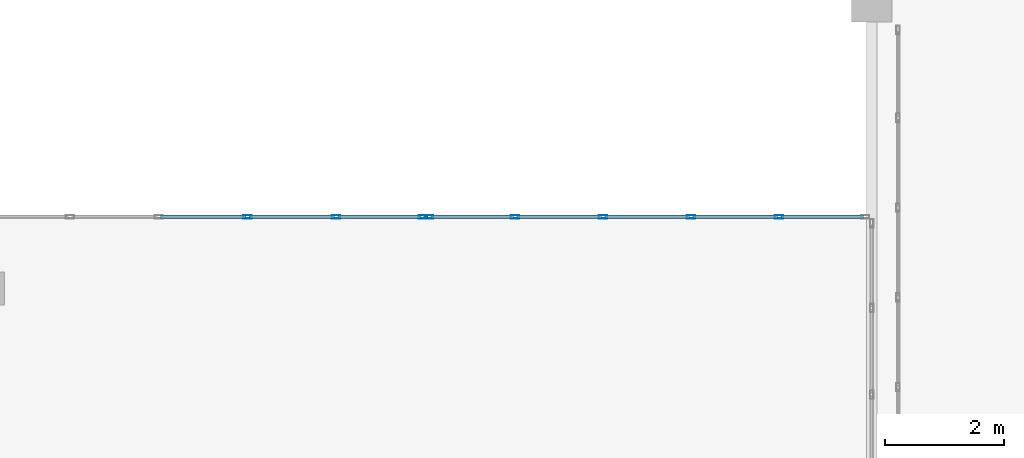
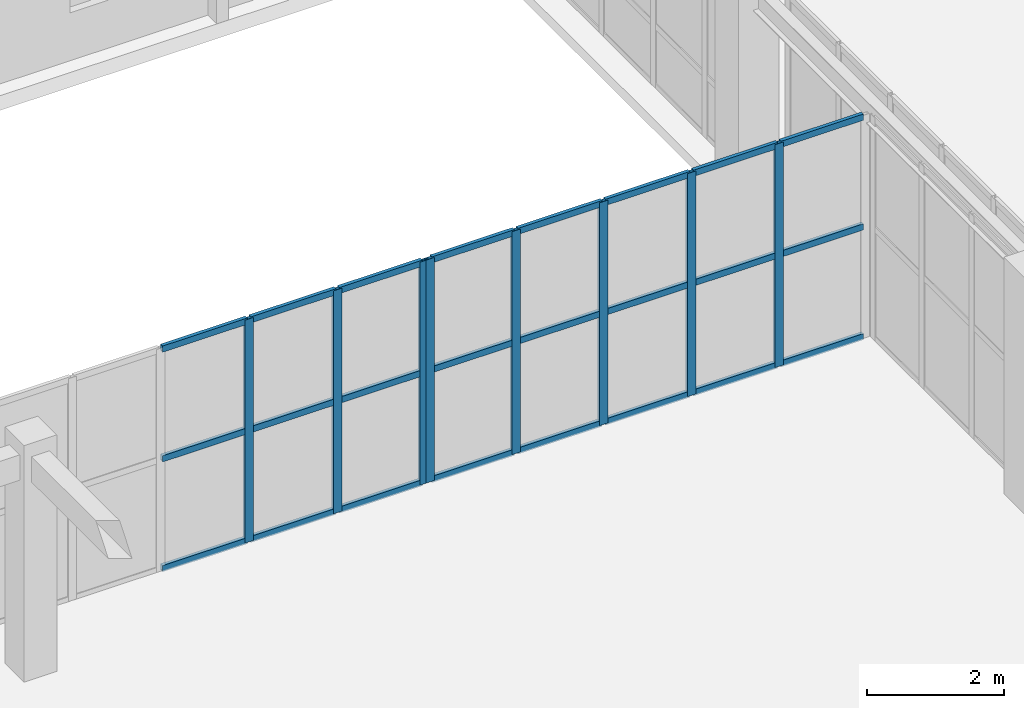
# One storey, part 62 of 140: 32 members, 2 elements without a shape of their own.
"""IFC4 building model written with IfcOpenShell, lengths in metres."""

import ifcopenshell
import ifcopenshell.guid

model = None  # the IFC model being written
_history = None  # IfcOwnerHistory: only IFC2X3 demands one
_inside = {}  # id of a spatial element -> (the spatial element, [elements in it])
_under = {}  # id of a project, library or spatial element -> (it, [spatial elements below it])
_declared = {}  # id of a project -> (the project, [libraries it declares])
_typed = {}  # id of a type object -> (the type object, [elements of that type])
_made_of = {}  # id of a material, layer set ... -> (it, [elements and type objects made of it])


def new_model(schema):
    """Start an empty IFC model of exactly this schema.

    Asked for "IFC4X3", IfcOpenShell would pick the latest addendum, in which some entities
    have other attributes; the version numbers below select the first issue.
    IFC2X3 requires an IfcOwnerHistory on every rooted entity: one is made here for all.
    """
    global model, _history
    if schema == "IFC4X3":
        model = ifcopenshell.file(schema_version=(4, 3, 0, 0))
    else:
        model = ifcopenshell.file(schema=schema)
    _inside.clear()
    _under.clear()
    _declared.clear()
    _typed.clear()
    _made_of.clear()
    _history = None
    if model.schema == "IFC2X3":
        org = make("IfcOrganization", Name="unknown")
        user = make(
            "IfcPersonAndOrganization",
            ThePerson=make("IfcPerson", FamilyName="unknown"),
            TheOrganization=org,
        )
        app = make(
            "IfcApplication",
            ApplicationDeveloper=org,
            Version="unknown",
            ApplicationFullName="unknown",
            ApplicationIdentifier="unknown",
        )
        _history = make(
            "IfcOwnerHistory",
            OwningUser=user,
            OwningApplication=app,
            ChangeAction="ADDED",
            CreationDate=0,
        )
    return model


def make(cls, **values):
    """One entity of the class cls with the attributes given. An attribute that is None is left unset."""
    return model.create_entity(
        cls, **{name: value for name, value in values.items() if value is not None}
    )


def rooted(cls, **values):
    """An entity with a GlobalId (a new one), such as an element, a storey or a relation."""
    return make(cls, GlobalId=ifcopenshell.guid.new(), OwnerHistory=_history, **values)


def si_unit(unit_type, name, prefix=None):
    """IfcSIUnit, for example si_unit("LENGTHUNIT", "METRE", prefix="MILLI")."""
    return make("IfcSIUnit", UnitType=unit_type, Prefix=prefix, Name=name)


def assignment(units):
    """IfcUnitAssignment: the units of a project."""
    return None if units is None else make("IfcUnitAssignment", Units=units)


def point(xyz):
    """IfcCartesianPoint."""
    return None if xyz is None else make("IfcCartesianPoint", Coordinates=xyz)


def direction(xyz):
    """IfcDirection."""
    return None if xyz is None else make("IfcDirection", DirectionRatios=xyz)


def frame(location, z_axis=None, x_axis=None):
    """IfcAxis2Placement3D, a coordinate frame: its origin and axes. An axis left out is left unset."""
    return make(
        "IfcAxis2Placement3D",
        Location=point(location),
        Axis=direction(z_axis),
        RefDirection=direction(x_axis),
    )


def frame_2d(location, x_axis=None):
    """IfcAxis2Placement2D, a coordinate frame in the plane: its origin and x axis."""
    return make(
        "IfcAxis2Placement2D", Location=point(location), RefDirection=direction(x_axis)
    )


def origin():
    """The frame at (0, 0, 0) with its axes left unset."""
    return frame((0.0, 0.0, 0.0))


def origin_2d():
    """The frame at (0, 0) in the plane with its x axis left unset."""
    return frame_2d((0.0, 0.0))


def place(relative_to, where):
    """IfcLocalPlacement: puts the frame where relative to a parent placement (None: the world)."""
    return make(
        "IfcLocalPlacement", PlacementRelTo=relative_to, RelativePlacement=where
    )


def context(
    kind, dimensions, precision=None, world=None, true_north=None, identifier=None
):
    """IfcGeometricRepresentationContext, for example the 3D "Model" context."""
    return make(
        "IfcGeometricRepresentationContext",
        ContextIdentifier=identifier,
        ContextType=kind,
        CoordinateSpaceDimension=dimensions,
        Precision=precision,
        WorldCoordinateSystem=world,
        TrueNorth=true_north,
    )


def subcontext(parent, identifier, kind, view, scale=None):
    """IfcGeometricRepresentationSubContext, for example "Body" below "Model"."""
    return make(
        "IfcGeometricRepresentationSubContext",
        ContextIdentifier=identifier,
        ContextType=kind,
        ParentContext=parent,
        TargetScale=scale,
        TargetView=view,
    )


def project(units=None, contexts=None):
    """IfcProject with its units and contexts."""
    return rooted(
        "IfcProject",
        Name="project",
        RepresentationContexts=contexts,
        UnitsInContext=assignment(units),
    )


def spatial(cls, under=None, at=None, **own):
    """A site, building, storey or space (cls), placed at a placement, below another one or the project."""
    s = rooted(cls, ObjectPlacement=at, **own)
    if under is not None:
        _under.setdefault(under.id(), (under, []))[1].append(s)
    return s


def profile(cls, at=None, kind="AREA", **sizes):
    """A parametric profile (cls). Its sizes go by their IFC names, for example OverallWidth=200.0."""
    return make(cls, ProfileType=kind, Position=at, **sizes)


def hollow_rectangle(**sizes):
    """IfcRectangleHollowProfileDef."""
    return profile("IfcRectangleHollowProfileDef", **sizes)


def extrude(swept, where, along, depth):
    """IfcExtrudedAreaSolid: the profile swept, set in the frame where, extruded along a direction by depth."""
    return make(
        "IfcExtrudedAreaSolid",
        SweptArea=swept,
        Position=where,
        ExtrudedDirection=direction(along),
        Depth=depth,
    )


def shape(context_of_items, identifier, shape_type, items):
    """IfcShapeRepresentation: the items that make up one representation, for example the "Body"."""
    return make(
        "IfcShapeRepresentation",
        ContextOfItems=context_of_items,
        RepresentationIdentifier=identifier,
        RepresentationType=shape_type,
        Items=items,
    )


def material(Name=None, Category=None):
    """IfcMaterial."""
    return make("IfcMaterial", Name=Name, Category=Category)


def layer(
    of_material, thickness, ventilated=None, Name=None, Category=None, Priority=None
):
    """IfcMaterialLayer: one layer of a wall or slab, of a material (None: an air gap)."""
    return make(
        "IfcMaterialLayer",
        Material=of_material,
        LayerThickness=thickness,
        IsVentilated=ventilated,
        Name=Name,
        Category=Category,
        Priority=Priority,
    )


def layer_set(layers, Name=None):
    """IfcMaterialLayerSet."""
    return make("IfcMaterialLayerSet", MaterialLayers=layers, LayerSetName=Name)


def material_profile(
    of_material, cross_section, Name=None, Category=None, Priority=None
):
    """IfcMaterialProfile: a cross section and its material."""
    return make(
        "IfcMaterialProfile",
        Name=Name,
        Material=of_material,
        Profile=cross_section,
        Priority=Priority,
        Category=Category,
    )


def profile_set(profiles, Name=None, composite=None):
    """IfcMaterialProfileSet."""
    return make(
        "IfcMaterialProfileSet",
        Name=Name,
        MaterialProfiles=profiles,
        CompositeProfile=composite,
    )


def made_of(thing, what):
    """Note that an element or type object is made of a material, layer set ...; save() writes the relation."""
    if what is not None:
        _made_of.setdefault(what.id(), (what, []))[1].append(thing)
    return thing


def type_object(cls, material=None, **own):
    """A type object (cls), such as IfcWallType, which elements share."""
    return made_of(rooted(cls, **own), material)


def element(
    cls,
    number,
    at=None,
    inside=None,
    cuts=None,
    type_object=None,
    material=None,
    context=None,
    identifier="Body",
    shape_type=None,
    held_by="IfcProductDefinitionShape",
    body=None,
    shapes=None,
    **own,
):
    """One element of the class cls, such as IfcWall. Its Tag is "e" and its number.

    at: its placement. inside: the storey or other place that contains it. cuts: it is an
    opening in that element (IfcRelVoidsElement). A single representation is given by context,
    identifier, shape_type and body (its items); several are given by shapes. held_by: the class
    of the entity that holds the representations. save() writes the other relations.
    """
    e = rooted(cls, Tag="e%d" % number, ObjectPlacement=at, **own)
    if body is not None:
        shapes = [shape(context, identifier, shape_type, body)]
    if shapes is not None:
        e.Representation = make(held_by, Representations=shapes)
    if inside is not None:
        _inside.setdefault(inside.id(), (inside, []))[1].append(e)
    if cuts is not None:
        rooted(
            "IfcRelVoidsElement", RelatingBuildingElement=cuts, RelatedOpeningElement=e
        )
    if type_object is not None:
        _typed.setdefault(type_object.id(), (type_object, []))[1].append(e)
    return made_of(e, material)


def aggregate(whole, parts):
    """IfcRelAggregates: a whole, such as a stair, and the parts it consists of."""
    return rooted("IfcRelAggregates", RelatingObject=whole, RelatedObjects=parts)


def save(model, path):
    """Write the relations noted so far, then the file.

    IfcRelAggregates (storeys below a building ...), IfcRelContainedInSpatialStructure (elements
    in a storey), IfcRelDefinesByType, IfcRelAssociatesMaterial and IfcRelDeclares: one each for
    every whole, place, type object, material and project.
    """
    for whole, parts in _under.values():
        aggregate(whole, parts)
    for where, things in _inside.values():
        rooted(
            "IfcRelContainedInSpatialStructure",
            RelatedElements=things,
            RelatingStructure=where,
        )
    for kind, things in _typed.values():
        rooted("IfcRelDefinesByType", RelatedObjects=things, RelatingType=kind)
    for what, things in _made_of.values():
        rooted("IfcRelAssociatesMaterial", RelatedObjects=things, RelatingMaterial=what)
    for by, libraries in _declared.values():
        rooted("IfcRelDeclares", RelatingContext=by, RelatedDefinitions=libraries)
    model.write(path)


model = new_model("IFC4")

# Units and contexts
model_context = context("Model", 3, precision=1e-05, world=origin(), true_north=direction((0.0, 1.0)))
body_context = subcontext(model_context, "Body", "Model", "MODEL_VIEW")
ifc_project = project(units=[si_unit("LENGTHUNIT", "METRE"), si_unit("AREAUNIT", "SQUARE_METRE"), si_unit("VOLUMEUNIT", "CUBIC_METRE"), si_unit("PLANEANGLEUNIT", "RADIAN"), si_unit("MASSUNIT", "GRAM", prefix="KILO")], contexts=[model_context])

# Site, building, storey
site_placement = place(None, origin())
site = spatial("IfcSite", under=ifc_project, at=site_placement, CompositionType="ELEMENT")
building_placement = place(site_placement, origin())
building = spatial("IfcBuilding", under=site, at=building_placement, Name="Trelvath General Hospital", CompositionType="ELEMENT")
storey_placement = place(building_placement, frame((0.0, 0.0, 16.199951171875)))
storey = spatial("IfcBuildingStorey", under=building, at=storey_placement, Name="L04", CompositionType="ELEMENT", Elevation=16.199951171875)

# Curtain wall, members
ifc_material_1 = material(Name="Anodised aluminium and low-E glass", Category="aluminium")
ifc_layer_1 = layer(ifc_material_1, 0.139892578125)
ifc_layer_set_1 = layer_set([ifc_layer_1], Name="Anodised aluminium and low-E glass")
curtain_wall_type_1 = type_object("IfcCurtainWallType", Name="CW CrystalCube 743 396 14", PredefinedType="USERDEFINED", material=ifc_layer_set_1)
curtain_wall_1_placement = place(storey_placement, origin())
curtain_wall_1 = element("IfcCurtainWall", 1, at=curtain_wall_1_placement, inside=storey, type_object=curtain_wall_type_1, Name="Crystal Cube Curtain Wall CUBE-W-T1 N2 L04", ObjectType="Unitised Glazed Curtain Wall", PredefinedType="USERDEFINED")
ifc_material_2 = material(Name="Anodised aluminium", Category="aluminium")
ifc_material_profile_1 = material_profile(ifc_material_2, hollow_rectangle(XDim=0.06005859375, YDim=0.139892578125, WallThickness=0.00390625, at=origin_2d()), Name="RHS60x140x4")
ifc_profile_set_1 = profile_set([ifc_material_profile_1], Name="Anodised aluminium")
member_type_1 = type_object("IfcMemberType", Name="CurtainMullion 60x140", PredefinedType="MULLION", material=ifc_profile_set_1)
member_1_placement = place(storey_placement, frame((65.142578125, 80.39990234375, 0.0), z_axis=(0.0, 0.0, 1.0), x_axis=(0.0, 1.0, 0.0)))
member_1 = element("IfcMember", 2, at=member_1_placement, type_object=member_type_1, Name="CW-272 mullion 4", PredefinedType="MULLION", context=body_context, shape_type="SweptSolid", body=[
    extrude(hollow_rectangle(XDim=0.06005859375, YDim=0.139892578125, WallThickness=0.00390625, at=origin_2d()), origin(), (0.0, 0.0, 1.0), 3.9599609375),
])
member_2_placement = place(storey_placement, frame((66.6279296875, 80.39990234375, 0.0), z_axis=(0.0, 0.0, 1.0), x_axis=(0.0, 1.0, 0.0)))
member_2 = element("IfcMember", 3, at=member_2_placement, type_object=member_type_1, Name="CW-272 mullion 5", PredefinedType="MULLION", context=body_context, shape_type="SweptSolid", body=[
    extrude(hollow_rectangle(XDim=0.06005859375, YDim=0.139892578125, WallThickness=0.00390625, at=origin_2d()), origin(), (0.0, 0.0, 1.0), 3.9599609375),
])
member_3_placement = place(storey_placement, frame((68.083251953125, 80.39990234375, 0.0), z_axis=(0.0, 0.0, 1.0), x_axis=(0.0, 1.0, 0.0)))
member_3 = element("IfcMember", 4, at=member_3_placement, type_object=member_type_1, Name="CW-272 mullion 6", PredefinedType="MULLION", context=body_context, shape_type="SweptSolid", body=[
    extrude(hollow_rectangle(XDim=0.06005859375, YDim=0.139892578125, WallThickness=0.00390625, at=origin_2d()), origin(), (0.0, 0.0, 1.0), 3.9599609375),
])

ifc_material_3 = material(Name="Anodised aluminium and low-E glass", Category="aluminium")
ifc_layer_2 = layer(ifc_material_3, 0.139892578125)
ifc_layer_set_2 = layer_set([ifc_layer_2], Name="Anodised aluminium and low-E glass")
curtain_wall_type_2 = type_object("IfcCurtainWallType", Name="CW CrystalCube 737 396 14", PredefinedType="USERDEFINED", material=ifc_layer_set_2)
curtain_wall_2_placement = place(storey_placement, origin())
curtain_wall_2 = element("IfcCurtainWall", 5, at=curtain_wall_2_placement, inside=storey, type_object=curtain_wall_type_2, Name="Crystal Cube Curtain Wall CUBE-W-T1 N3 L04", ObjectType="Unitised Glazed Curtain Wall", PredefinedType="USERDEFINED")
member_4_placement = place(storey_placement, frame((68.183349609375, 80.39990234375, 0.0), z_axis=(0.0, 0.0, 1.0), x_axis=(0.0, 1.0, 0.0)))
member_4 = element("IfcMember", 6, at=member_4_placement, type_object=member_type_1, Name="CW-273 mullion 1", PredefinedType="MULLION", context=body_context, shape_type="SweptSolid", body=[
    extrude(hollow_rectangle(XDim=0.06005859375, YDim=0.139892578125, WallThickness=0.00390625, at=origin_2d()), origin(), (0.0, 0.0, 1.0), 3.9599609375),
])
member_5_placement = place(storey_placement, frame((69.626708984375, 80.39990234375, 0.0), z_axis=(0.0, 0.0, 1.0), x_axis=(0.0, 1.0, 0.0)))
member_5 = element("IfcMember", 7, at=member_5_placement, type_object=member_type_1, Name="CW-273 mullion 2", PredefinedType="MULLION", context=body_context, shape_type="SweptSolid", body=[
    extrude(hollow_rectangle(XDim=0.06005859375, YDim=0.139892578125, WallThickness=0.00390625, at=origin_2d()), origin(), (0.0, 0.0, 1.0), 3.9599609375),
])
member_6_placement = place(storey_placement, frame((71.10009765625, 80.39990234375, 0.0), z_axis=(0.0, 0.0, 1.0), x_axis=(0.0, 1.0, 0.0)))
member_6 = element("IfcMember", 8, at=member_6_placement, type_object=member_type_1, Name="CW-273 mullion 3", PredefinedType="MULLION", context=body_context, shape_type="SweptSolid", body=[
    extrude(hollow_rectangle(XDim=0.06005859375, YDim=0.139892578125, WallThickness=0.00390625, at=origin_2d()), origin(), (0.0, 0.0, 1.0), 3.9599609375),
])
member_7_placement = place(storey_placement, frame((72.5732421875, 80.39990234375, 0.0), z_axis=(0.0, 0.0, 1.0), x_axis=(0.0, 1.0, 0.0)))
member_7 = element("IfcMember", 9, at=member_7_placement, type_object=member_type_1, Name="CW-273 mullion 4", PredefinedType="MULLION", context=body_context, shape_type="SweptSolid", body=[
    extrude(hollow_rectangle(XDim=0.06005859375, YDim=0.139892578125, WallThickness=0.00390625, at=origin_2d()), origin(), (0.0, 0.0, 1.0), 3.9599609375),
])
member_8_placement = place(storey_placement, frame((74.046630859375, 80.39990234375, 0.0), z_axis=(0.0, 0.0, 1.0), x_axis=(0.0, 1.0, 0.0)))
member_8 = element("IfcMember", 10, at=member_8_placement, type_object=member_type_1, Name="CW-273 mullion 5", PredefinedType="MULLION", context=body_context, shape_type="SweptSolid", body=[
    extrude(hollow_rectangle(XDim=0.06005859375, YDim=0.139892578125, WallThickness=0.00390625, at=origin_2d()), origin(), (0.0, 0.0, 1.0), 3.9599609375),
])

# Member
ifc_material_4 = material(Name="Anodised aluminium", Category="aluminium")
ifc_material_profile_2 = material_profile(ifc_material_4, hollow_rectangle(XDim=0.06005859375, YDim=0.110107421875, WallThickness=0.00390625, at=origin_2d()), Name="RHS60x110x4")
ifc_profile_set_2 = profile_set([ifc_material_profile_2], Name="Anodised aluminium")
member_type_2 = type_object("IfcMemberType", Name="CurtainTransom 60x110", PredefinedType="USERDEFINED", material=ifc_profile_set_2)
member_9_placement = place(storey_placement, frame((63.687255859375, 80.39990234375, 0.030029296875), z_axis=(1.0, 0.0, 0.0), x_axis=(0.0, 1.0, 0.0)))
member_9 = element("IfcMember", 11, at=member_9_placement, type_object=member_type_2, Name="CW-272 transom 3.1", ObjectType="TRANSOM", PredefinedType="USERDEFINED", context=body_context, shape_type="SweptSolid", body=[
    extrude(hollow_rectangle(XDim=0.06005859375, YDim=0.110107421875, WallThickness=0.00390625, at=origin_2d()), origin(), (0.0, 0.0, 1.0), 1.42529296875),
])

member_10_placement = place(storey_placement, frame((63.687255859375, 80.39990234375, 1.97998046875), z_axis=(1.0, 0.0, 0.0), x_axis=(0.0, 1.0, 0.0)))
member_10 = element("IfcMember", 12, at=member_10_placement, type_object=member_type_2, Name="CW-272 transom 3.2", ObjectType="TRANSOM", PredefinedType="USERDEFINED", context=body_context, shape_type="SweptSolid", body=[
    extrude(hollow_rectangle(XDim=0.06005859375, YDim=0.110107421875, WallThickness=0.00390625, at=origin_2d()), origin(), (0.0, 0.0, 1.0), 1.42529296875),
])

member_11_placement = place(storey_placement, frame((63.687255859375, 80.39990234375, 3.929931640625), z_axis=(1.0, 0.0, 0.0), x_axis=(0.0, 1.0, 0.0)))
member_11 = element("IfcMember", 13, at=member_11_placement, type_object=member_type_2, Name="CW-272 transom 3.3", ObjectType="TRANSOM", PredefinedType="USERDEFINED", context=body_context, shape_type="SweptSolid", body=[
    extrude(hollow_rectangle(XDim=0.06005859375, YDim=0.110107421875, WallThickness=0.00390625, at=origin_2d()), origin(), (0.0, 0.0, 1.0), 1.42529296875),
])

member_12_placement = place(storey_placement, frame((65.172607421875, 80.39990234375, 0.030029296875), z_axis=(1.0, 0.0, 0.0), x_axis=(0.0, 1.0, 0.0)))
member_12 = element("IfcMember", 14, at=member_12_placement, type_object=member_type_2, Name="CW-272 transom 4.1", ObjectType="TRANSOM", PredefinedType="USERDEFINED", context=body_context, shape_type="SweptSolid", body=[
    extrude(hollow_rectangle(XDim=0.06005859375, YDim=0.110107421875, WallThickness=0.00390625, at=origin_2d()), origin(), (0.0, 0.0, 1.0), 1.42529296875),
])

member_13_placement = place(storey_placement, frame((65.172607421875, 80.39990234375, 1.97998046875), z_axis=(1.0, 0.0, 0.0), x_axis=(0.0, 1.0, 0.0)))
member_13 = element("IfcMember", 15, at=member_13_placement, type_object=member_type_2, Name="CW-272 transom 4.2", ObjectType="TRANSOM", PredefinedType="USERDEFINED", context=body_context, shape_type="SweptSolid", body=[
    extrude(hollow_rectangle(XDim=0.06005859375, YDim=0.110107421875, WallThickness=0.00390625, at=origin_2d()), origin(), (0.0, 0.0, 1.0), 1.42529296875),
])

member_14_placement = place(storey_placement, frame((65.172607421875, 80.39990234375, 3.929931640625), z_axis=(1.0, 0.0, 0.0), x_axis=(0.0, 1.0, 0.0)))
member_14 = element("IfcMember", 16, at=member_14_placement, type_object=member_type_2, Name="CW-272 transom 4.3", ObjectType="TRANSOM", PredefinedType="USERDEFINED", context=body_context, shape_type="SweptSolid", body=[
    extrude(hollow_rectangle(XDim=0.06005859375, YDim=0.110107421875, WallThickness=0.00390625, at=origin_2d()), origin(), (0.0, 0.0, 1.0), 1.42529296875),
])

member_15_placement = place(storey_placement, frame((66.657958984375, 80.39990234375, 0.030029296875), z_axis=(1.0, 0.0, 0.0), x_axis=(0.0, 1.0, 0.0)))
member_15 = element("IfcMember", 17, at=member_15_placement, type_object=member_type_2, Name="CW-272 transom 5.1", ObjectType="TRANSOM", PredefinedType="USERDEFINED", context=body_context, shape_type="SweptSolid", body=[
    extrude(hollow_rectangle(XDim=0.06005859375, YDim=0.110107421875, WallThickness=0.00390625, at=origin_2d()), origin(), (0.0, 0.0, 1.0), 1.395263671875),
])

member_16_placement = place(storey_placement, frame((66.657958984375, 80.39990234375, 1.97998046875), z_axis=(1.0, 0.0, 0.0), x_axis=(0.0, 1.0, 0.0)))
member_16 = element("IfcMember", 18, at=member_16_placement, type_object=member_type_2, Name="CW-272 transom 5.2", ObjectType="TRANSOM", PredefinedType="USERDEFINED", context=body_context, shape_type="SweptSolid", body=[
    extrude(hollow_rectangle(XDim=0.06005859375, YDim=0.110107421875, WallThickness=0.00390625, at=origin_2d()), origin(), (0.0, 0.0, 1.0), 1.395263671875),
])

member_17_placement = place(storey_placement, frame((66.657958984375, 80.39990234375, 3.929931640625), z_axis=(1.0, 0.0, 0.0), x_axis=(0.0, 1.0, 0.0)))
member_17 = element("IfcMember", 19, at=member_17_placement, type_object=member_type_2, Name="CW-272 transom 5.3", ObjectType="TRANSOM", PredefinedType="USERDEFINED", context=body_context, shape_type="SweptSolid", body=[
    extrude(hollow_rectangle(XDim=0.06005859375, YDim=0.110107421875, WallThickness=0.00390625, at=origin_2d()), origin(), (0.0, 0.0, 1.0), 1.395263671875),
])

aggregate(curtain_wall_1, [member_1, member_2, member_3, member_9, member_10, member_11, member_12, member_13, member_14, member_15, member_16, member_17])

member_18_placement = place(storey_placement, frame((68.21337890625, 80.39990234375, 0.030029296875), z_axis=(1.0, 0.0, 0.0), x_axis=(0.0, 1.0, 0.0)))
member_18 = element("IfcMember", 20, at=member_18_placement, type_object=member_type_2, Name="CW-273 transom 1.1", ObjectType="TRANSOM", PredefinedType="USERDEFINED", context=body_context, shape_type="SweptSolid", body=[
    extrude(hollow_rectangle(XDim=0.06005859375, YDim=0.110107421875, WallThickness=0.00390625, at=origin_2d()), origin(), (0.0, 0.0, 1.0), 1.38330078125),
])

member_19_placement = place(storey_placement, frame((68.21337890625, 80.39990234375, 1.97998046875), z_axis=(1.0, 0.0, 0.0), x_axis=(0.0, 1.0, 0.0)))
member_19 = element("IfcMember", 21, at=member_19_placement, type_object=member_type_2, Name="CW-273 transom 1.2", ObjectType="TRANSOM", PredefinedType="USERDEFINED", context=body_context, shape_type="SweptSolid", body=[
    extrude(hollow_rectangle(XDim=0.06005859375, YDim=0.110107421875, WallThickness=0.00390625, at=origin_2d()), origin(), (0.0, 0.0, 1.0), 1.38330078125),
])

member_20_placement = place(storey_placement, frame((68.21337890625, 80.39990234375, 3.929931640625), z_axis=(1.0, 0.0, 0.0), x_axis=(0.0, 1.0, 0.0)))
member_20 = element("IfcMember", 22, at=member_20_placement, type_object=member_type_2, Name="CW-273 transom 1.3", ObjectType="TRANSOM", PredefinedType="USERDEFINED", context=body_context, shape_type="SweptSolid", body=[
    extrude(hollow_rectangle(XDim=0.06005859375, YDim=0.110107421875, WallThickness=0.00390625, at=origin_2d()), origin(), (0.0, 0.0, 1.0), 1.38330078125),
])

member_21_placement = place(storey_placement, frame((69.65673828125, 80.39990234375, 0.030029296875), z_axis=(1.0, 0.0, 0.0), x_axis=(0.0, 1.0, 0.0)))
member_21 = element("IfcMember", 23, at=member_21_placement, type_object=member_type_2, Name="CW-273 transom 2.1", ObjectType="TRANSOM", PredefinedType="USERDEFINED", context=body_context, shape_type="SweptSolid", body=[
    extrude(hollow_rectangle(XDim=0.06005859375, YDim=0.110107421875, WallThickness=0.00390625, at=origin_2d()), origin(), (0.0, 0.0, 1.0), 1.413330078125),
])

member_22_placement = place(storey_placement, frame((69.65673828125, 80.39990234375, 1.97998046875), z_axis=(1.0, 0.0, 0.0), x_axis=(0.0, 1.0, 0.0)))
member_22 = element("IfcMember", 24, at=member_22_placement, type_object=member_type_2, Name="CW-273 transom 2.2", ObjectType="TRANSOM", PredefinedType="USERDEFINED", context=body_context, shape_type="SweptSolid", body=[
    extrude(hollow_rectangle(XDim=0.06005859375, YDim=0.110107421875, WallThickness=0.00390625, at=origin_2d()), origin(), (0.0, 0.0, 1.0), 1.413330078125),
])

member_23_placement = place(storey_placement, frame((69.65673828125, 80.39990234375, 3.929931640625), z_axis=(1.0, 0.0, 0.0), x_axis=(0.0, 1.0, 0.0)))
member_23 = element("IfcMember", 25, at=member_23_placement, type_object=member_type_2, Name="CW-273 transom 2.3", ObjectType="TRANSOM", PredefinedType="USERDEFINED", context=body_context, shape_type="SweptSolid", body=[
    extrude(hollow_rectangle(XDim=0.06005859375, YDim=0.110107421875, WallThickness=0.00390625, at=origin_2d()), origin(), (0.0, 0.0, 1.0), 1.413330078125),
])

member_24_placement = place(storey_placement, frame((71.1298828125, 80.39990234375, 0.030029296875), z_axis=(1.0, 0.0, 0.0), x_axis=(0.0, 1.0, 0.0)))
member_24 = element("IfcMember", 26, at=member_24_placement, type_object=member_type_2, Name="CW-273 transom 3.1", ObjectType="TRANSOM", PredefinedType="USERDEFINED", context=body_context, shape_type="SweptSolid", body=[
    extrude(hollow_rectangle(XDim=0.06005859375, YDim=0.110107421875, WallThickness=0.00390625, at=origin_2d()), origin(), (0.0, 0.0, 1.0), 1.413330078125),
])

member_25_placement = place(storey_placement, frame((71.1298828125, 80.39990234375, 1.97998046875), z_axis=(1.0, 0.0, 0.0), x_axis=(0.0, 1.0, 0.0)))
member_25 = element("IfcMember", 27, at=member_25_placement, type_object=member_type_2, Name="CW-273 transom 3.2", ObjectType="TRANSOM", PredefinedType="USERDEFINED", context=body_context, shape_type="SweptSolid", body=[
    extrude(hollow_rectangle(XDim=0.06005859375, YDim=0.110107421875, WallThickness=0.00390625, at=origin_2d()), origin(), (0.0, 0.0, 1.0), 1.413330078125),
])

member_26_placement = place(storey_placement, frame((71.1298828125, 80.39990234375, 3.929931640625), z_axis=(1.0, 0.0, 0.0), x_axis=(0.0, 1.0, 0.0)))
member_26 = element("IfcMember", 28, at=member_26_placement, type_object=member_type_2, Name="CW-273 transom 3.3", ObjectType="TRANSOM", PredefinedType="USERDEFINED", context=body_context, shape_type="SweptSolid", body=[
    extrude(hollow_rectangle(XDim=0.06005859375, YDim=0.110107421875, WallThickness=0.00390625, at=origin_2d()), origin(), (0.0, 0.0, 1.0), 1.413330078125),
])

member_27_placement = place(storey_placement, frame((72.603271484375, 80.39990234375, 0.030029296875), z_axis=(1.0, 0.0, 0.0), x_axis=(0.0, 1.0, 0.0)))
member_27 = element("IfcMember", 29, at=member_27_placement, type_object=member_type_2, Name="CW-273 transom 4.1", ObjectType="TRANSOM", PredefinedType="USERDEFINED", context=body_context, shape_type="SweptSolid", body=[
    extrude(hollow_rectangle(XDim=0.06005859375, YDim=0.110107421875, WallThickness=0.00390625, at=origin_2d()), origin(), (0.0, 0.0, 1.0), 1.413330078125),
])

member_28_placement = place(storey_placement, frame((72.603271484375, 80.39990234375, 1.97998046875), z_axis=(1.0, 0.0, 0.0), x_axis=(0.0, 1.0, 0.0)))
member_28 = element("IfcMember", 30, at=member_28_placement, type_object=member_type_2, Name="CW-273 transom 4.2", ObjectType="TRANSOM", PredefinedType="USERDEFINED", context=body_context, shape_type="SweptSolid", body=[
    extrude(hollow_rectangle(XDim=0.06005859375, YDim=0.110107421875, WallThickness=0.00390625, at=origin_2d()), origin(), (0.0, 0.0, 1.0), 1.413330078125),
])

member_29_placement = place(storey_placement, frame((72.603271484375, 80.39990234375, 3.929931640625), z_axis=(1.0, 0.0, 0.0), x_axis=(0.0, 1.0, 0.0)))
member_29 = element("IfcMember", 31, at=member_29_placement, type_object=member_type_2, Name="CW-273 transom 4.3", ObjectType="TRANSOM", PredefinedType="USERDEFINED", context=body_context, shape_type="SweptSolid", body=[
    extrude(hollow_rectangle(XDim=0.06005859375, YDim=0.110107421875, WallThickness=0.00390625, at=origin_2d()), origin(), (0.0, 0.0, 1.0), 1.413330078125),
])

member_30_placement = place(storey_placement, frame((74.07666015625, 80.39990234375, 0.030029296875), z_axis=(1.0, 0.0, 0.0), x_axis=(0.0, 1.0, 0.0)))
member_30 = element("IfcMember", 32, at=member_30_placement, type_object=member_type_2, Name="CW-273 transom 5.1", ObjectType="TRANSOM", PredefinedType="USERDEFINED", context=body_context, shape_type="SweptSolid", body=[
    extrude(hollow_rectangle(XDim=0.06005859375, YDim=0.110107421875, WallThickness=0.00390625, at=origin_2d()), origin(), (0.0, 0.0, 1.0), 1.38330078125),
])

member_31_placement = place(storey_placement, frame((74.07666015625, 80.39990234375, 1.97998046875), z_axis=(1.0, 0.0, 0.0), x_axis=(0.0, 1.0, 0.0)))
member_31 = element("IfcMember", 33, at=member_31_placement, type_object=member_type_2, Name="CW-273 transom 5.2", ObjectType="TRANSOM", PredefinedType="USERDEFINED", context=body_context, shape_type="SweptSolid", body=[
    extrude(hollow_rectangle(XDim=0.06005859375, YDim=0.110107421875, WallThickness=0.00390625, at=origin_2d()), origin(), (0.0, 0.0, 1.0), 1.38330078125),
])

member_32_placement = place(storey_placement, frame((74.07666015625, 80.39990234375, 3.929931640625), z_axis=(1.0, 0.0, 0.0), x_axis=(0.0, 1.0, 0.0)))
member_32 = element("IfcMember", 34, at=member_32_placement, type_object=member_type_2, Name="CW-273 transom 5.3", ObjectType="TRANSOM", PredefinedType="USERDEFINED", context=body_context, shape_type="SweptSolid", body=[
    extrude(hollow_rectangle(XDim=0.06005859375, YDim=0.110107421875, WallThickness=0.00390625, at=origin_2d()), origin(), (0.0, 0.0, 1.0), 1.38330078125),
])

aggregate(curtain_wall_2, [member_4, member_5, member_6, member_7, member_8, member_18, member_19, member_20, member_21, member_22, member_23, member_24, member_25, member_26, member_27, member_28, member_29, member_30, member_31, member_32])

save(model, "model.ifc")
